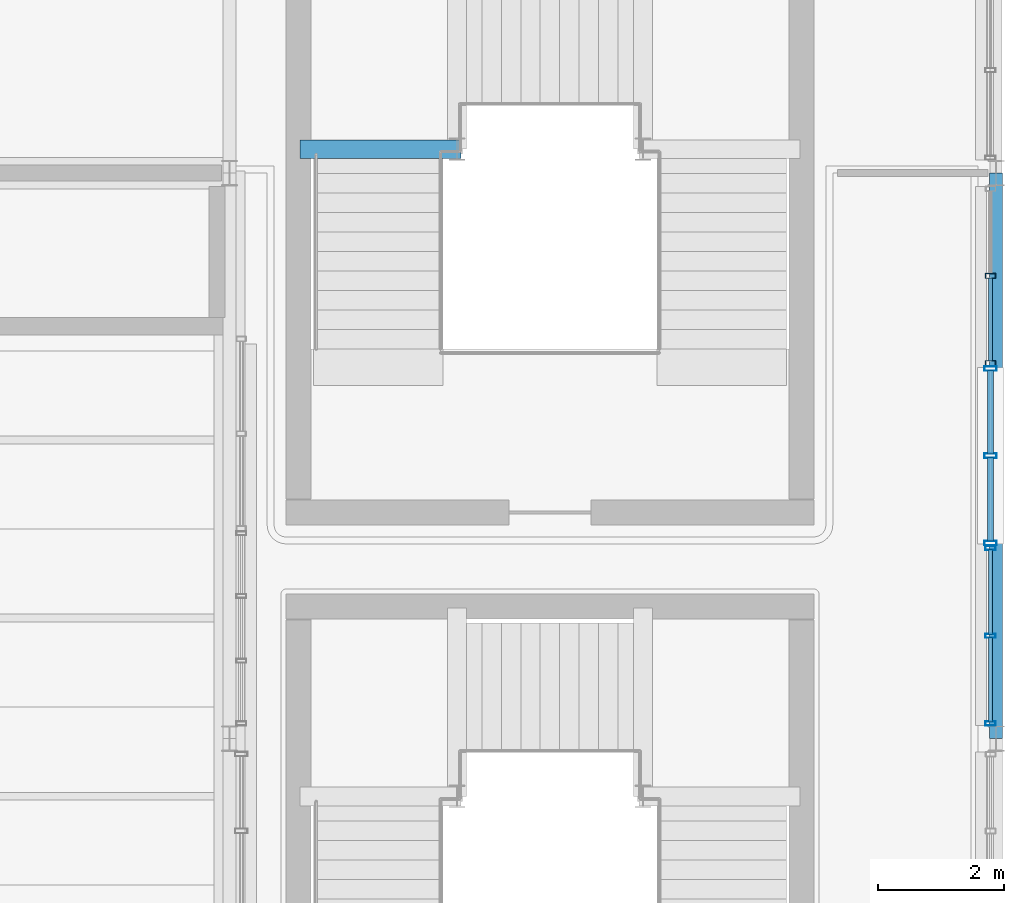
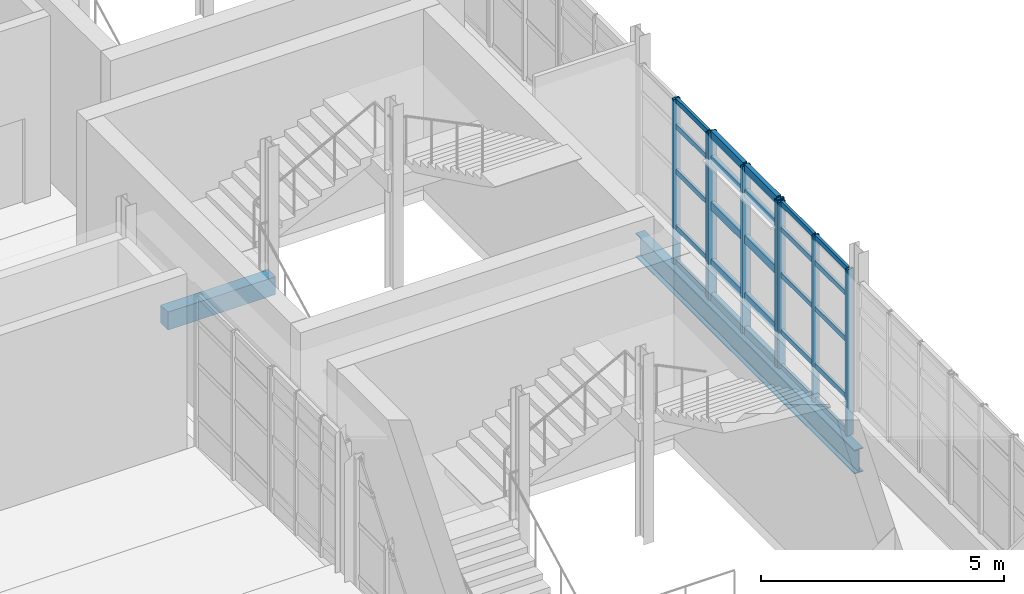
# One storey, part 54 of 100: 33 members, 2 beams, 3 elements without a shape of their own.
"""IFC4 building model written with IfcOpenShell, lengths in metres."""

import ifcopenshell
import ifcopenshell.guid

model = None  # the IFC model being written
_history = None  # IfcOwnerHistory: only IFC2X3 demands one
_inside = {}  # id of a spatial element -> (the spatial element, [elements in it])
_under = {}  # id of a project, library or spatial element -> (it, [spatial elements below it])
_declared = {}  # id of a project -> (the project, [libraries it declares])
_typed = {}  # id of a type object -> (the type object, [elements of that type])
_made_of = {}  # id of a material, layer set ... -> (it, [elements and type objects made of it])


def new_model(schema):
    """Start an empty IFC model of exactly this schema.

    Asked for "IFC4X3", IfcOpenShell would pick the latest addendum, in which some entities
    have other attributes; the version numbers below select the first issue.
    IFC2X3 requires an IfcOwnerHistory on every rooted entity: one is made here for all.
    """
    global model, _history
    if schema == "IFC4X3":
        model = ifcopenshell.file(schema_version=(4, 3, 0, 0))
    else:
        model = ifcopenshell.file(schema=schema)
    _inside.clear()
    _under.clear()
    _declared.clear()
    _typed.clear()
    _made_of.clear()
    _history = None
    if model.schema == "IFC2X3":
        org = make("IfcOrganization", Name="unknown")
        user = make(
            "IfcPersonAndOrganization",
            ThePerson=make("IfcPerson", FamilyName="unknown"),
            TheOrganization=org,
        )
        app = make(
            "IfcApplication",
            ApplicationDeveloper=org,
            Version="unknown",
            ApplicationFullName="unknown",
            ApplicationIdentifier="unknown",
        )
        _history = make(
            "IfcOwnerHistory",
            OwningUser=user,
            OwningApplication=app,
            ChangeAction="ADDED",
            CreationDate=0,
        )
    return model


def make(cls, **values):
    """One entity of the class cls with the attributes given. An attribute that is None is left unset."""
    return model.create_entity(
        cls, **{name: value for name, value in values.items() if value is not None}
    )


def rooted(cls, **values):
    """An entity with a GlobalId (a new one), such as an element, a storey or a relation."""
    return make(cls, GlobalId=ifcopenshell.guid.new(), OwnerHistory=_history, **values)


def si_unit(unit_type, name, prefix=None):
    """IfcSIUnit, for example si_unit("LENGTHUNIT", "METRE", prefix="MILLI")."""
    return make("IfcSIUnit", UnitType=unit_type, Prefix=prefix, Name=name)


def derived_unit(unit_type, elements):
    """IfcDerivedUnit: a product of units, each with its exponent."""
    return make(
        "IfcDerivedUnit",
        Elements=[
            make("IfcDerivedUnitElement", Unit=unit, Exponent=power)
            for unit, power in elements
        ],
        UnitType=unit_type,
    )


def assignment(units):
    """IfcUnitAssignment: the units of a project."""
    return None if units is None else make("IfcUnitAssignment", Units=units)


def point(xyz):
    """IfcCartesianPoint."""
    return None if xyz is None else make("IfcCartesianPoint", Coordinates=xyz)


def direction(xyz):
    """IfcDirection."""
    return None if xyz is None else make("IfcDirection", DirectionRatios=xyz)


def frame(location, z_axis=None, x_axis=None):
    """IfcAxis2Placement3D, a coordinate frame: its origin and axes. An axis left out is left unset."""
    return make(
        "IfcAxis2Placement3D",
        Location=point(location),
        Axis=direction(z_axis),
        RefDirection=direction(x_axis),
    )


def frame_2d(location, x_axis=None):
    """IfcAxis2Placement2D, a coordinate frame in the plane: its origin and x axis."""
    return make(
        "IfcAxis2Placement2D", Location=point(location), RefDirection=direction(x_axis)
    )


def origin():
    """The frame at (0, 0, 0) with its axes left unset."""
    return frame((0.0, 0.0, 0.0))


def origin_2d():
    """The frame at (0, 0) in the plane with its x axis left unset."""
    return frame_2d((0.0, 0.0))


def place(relative_to, where):
    """IfcLocalPlacement: puts the frame where relative to a parent placement (None: the world)."""
    return make(
        "IfcLocalPlacement", PlacementRelTo=relative_to, RelativePlacement=where
    )


def context(
    kind, dimensions, precision=None, world=None, true_north=None, identifier=None
):
    """IfcGeometricRepresentationContext, for example the 3D "Model" context."""
    return make(
        "IfcGeometricRepresentationContext",
        ContextIdentifier=identifier,
        ContextType=kind,
        CoordinateSpaceDimension=dimensions,
        Precision=precision,
        WorldCoordinateSystem=world,
        TrueNorth=true_north,
    )


def subcontext(parent, identifier, kind, view, scale=None):
    """IfcGeometricRepresentationSubContext, for example "Body" below "Model"."""
    return make(
        "IfcGeometricRepresentationSubContext",
        ContextIdentifier=identifier,
        ContextType=kind,
        ParentContext=parent,
        TargetScale=scale,
        TargetView=view,
    )


def project(units=None, contexts=None):
    """IfcProject with its units and contexts."""
    return rooted(
        "IfcProject",
        Name="project",
        RepresentationContexts=contexts,
        UnitsInContext=assignment(units),
    )


def spatial(cls, under=None, at=None, **own):
    """A site, building, storey or space (cls), placed at a placement, below another one or the project."""
    s = rooted(cls, ObjectPlacement=at, **own)
    if under is not None:
        _under.setdefault(under.id(), (under, []))[1].append(s)
    return s


def profile(cls, at=None, kind="AREA", **sizes):
    """A parametric profile (cls). Its sizes go by their IFC names, for example OverallWidth=200.0."""
    return make(cls, ProfileType=kind, Position=at, **sizes)


def rectangle(**sizes):
    """IfcRectangleProfileDef."""
    return profile("IfcRectangleProfileDef", **sizes)


def hollow_rectangle(**sizes):
    """IfcRectangleHollowProfileDef."""
    return profile("IfcRectangleHollowProfileDef", **sizes)


def i_section(**sizes):
    """IfcIShapeProfileDef."""
    return profile("IfcIShapeProfileDef", **sizes)


def extrude(swept, where, along, depth):
    """IfcExtrudedAreaSolid: the profile swept, set in the frame where, extruded along a direction by depth."""
    return make(
        "IfcExtrudedAreaSolid",
        SweptArea=swept,
        Position=where,
        ExtrudedDirection=direction(along),
        Depth=depth,
    )


def shape(context_of_items, identifier, shape_type, items):
    """IfcShapeRepresentation: the items that make up one representation, for example the "Body"."""
    return make(
        "IfcShapeRepresentation",
        ContextOfItems=context_of_items,
        RepresentationIdentifier=identifier,
        RepresentationType=shape_type,
        Items=items,
    )


def material(Name=None, Category=None):
    """IfcMaterial."""
    return make("IfcMaterial", Name=Name, Category=Category)


def layer(
    of_material, thickness, ventilated=None, Name=None, Category=None, Priority=None
):
    """IfcMaterialLayer: one layer of a wall or slab, of a material (None: an air gap)."""
    return make(
        "IfcMaterialLayer",
        Material=of_material,
        LayerThickness=thickness,
        IsVentilated=ventilated,
        Name=Name,
        Category=Category,
        Priority=Priority,
    )


def layer_set(layers, Name=None):
    """IfcMaterialLayerSet."""
    return make("IfcMaterialLayerSet", MaterialLayers=layers, LayerSetName=Name)


def material_profile(
    of_material, cross_section, Name=None, Category=None, Priority=None
):
    """IfcMaterialProfile: a cross section and its material."""
    return make(
        "IfcMaterialProfile",
        Name=Name,
        Material=of_material,
        Profile=cross_section,
        Priority=Priority,
        Category=Category,
    )


def profile_set(profiles, Name=None, composite=None):
    """IfcMaterialProfileSet."""
    return make(
        "IfcMaterialProfileSet",
        Name=Name,
        MaterialProfiles=profiles,
        CompositeProfile=composite,
    )


def made_of(thing, what):
    """Note that an element or type object is made of a material, layer set ...; save() writes the relation."""
    if what is not None:
        _made_of.setdefault(what.id(), (what, []))[1].append(thing)
    return thing


def type_object(cls, material=None, **own):
    """A type object (cls), such as IfcWallType, which elements share."""
    return made_of(rooted(cls, **own), material)


def element(
    cls,
    number,
    at=None,
    inside=None,
    cuts=None,
    type_object=None,
    material=None,
    context=None,
    identifier="Body",
    shape_type=None,
    held_by="IfcProductDefinitionShape",
    body=None,
    shapes=None,
    **own,
):
    """One element of the class cls, such as IfcWall. Its Tag is "e" and its number.

    at: its placement. inside: the storey or other place that contains it. cuts: it is an
    opening in that element (IfcRelVoidsElement). A single representation is given by context,
    identifier, shape_type and body (its items); several are given by shapes. held_by: the class
    of the entity that holds the representations. save() writes the other relations.
    """
    e = rooted(cls, Tag="e%d" % number, ObjectPlacement=at, **own)
    if body is not None:
        shapes = [shape(context, identifier, shape_type, body)]
    if shapes is not None:
        e.Representation = make(held_by, Representations=shapes)
    if inside is not None:
        _inside.setdefault(inside.id(), (inside, []))[1].append(e)
    if cuts is not None:
        rooted(
            "IfcRelVoidsElement", RelatingBuildingElement=cuts, RelatedOpeningElement=e
        )
    if type_object is not None:
        _typed.setdefault(type_object.id(), (type_object, []))[1].append(e)
    return made_of(e, material)


def aggregate(whole, parts):
    """IfcRelAggregates: a whole, such as a stair, and the parts it consists of."""
    return rooted("IfcRelAggregates", RelatingObject=whole, RelatedObjects=parts)


def save(model, path):
    """Write the relations noted so far, then the file.

    IfcRelAggregates (storeys below a building ...), IfcRelContainedInSpatialStructure (elements
    in a storey), IfcRelDefinesByType, IfcRelAssociatesMaterial and IfcRelDeclares: one each for
    every whole, place, type object, material and project.
    """
    for whole, parts in _under.values():
        aggregate(whole, parts)
    for where, things in _inside.values():
        rooted(
            "IfcRelContainedInSpatialStructure",
            RelatedElements=things,
            RelatingStructure=where,
        )
    for kind, things in _typed.values():
        rooted("IfcRelDefinesByType", RelatedObjects=things, RelatingType=kind)
    for what, things in _made_of.values():
        rooted("IfcRelAssociatesMaterial", RelatedObjects=things, RelatingMaterial=what)
    for by, libraries in _declared.values():
        rooted("IfcRelDeclares", RelatingContext=by, RelatedDefinitions=libraries)
    model.write(path)


model = new_model("IFC4")

# Units and contexts
model_context = context("Model", 3, precision=1e-05, world=origin(), true_north=direction((0.0, 1.0)))
body_context = subcontext(model_context, "Body", "Model", "MODEL_VIEW")
ifc_project = project(units=[si_unit("LENGTHUNIT", "METRE"), si_unit("AREAUNIT", "SQUARE_METRE"), si_unit("VOLUMEUNIT", "CUBIC_METRE"), si_unit("PLANEANGLEUNIT", "RADIAN"), si_unit("MASSUNIT", "GRAM", prefix="KILO"), derived_unit("THERMALTRANSMITTANCEUNIT", [(si_unit("POWERUNIT", "WATT"), 1), (si_unit("LENGTHUNIT", "METRE"), -2), (si_unit("THERMODYNAMICTEMPERATUREUNIT", "KELVIN"), -1)])], contexts=[model_context])

# Site, building, storey
site_placement = place(None, origin())
site = spatial("IfcSite", under=ifc_project, at=site_placement, CompositionType="ELEMENT")
building_placement = place(site_placement, origin())
building = spatial("IfcBuilding", under=site, at=building_placement, Name="Nallur Shell Playhouse", CompositionType="ELEMENT")
storey_placement = place(building_placement, frame((0.0, 0.0, 10.199951171875)))
storey = spatial("IfcBuildingStorey", under=building, at=storey_placement, Name="L03", CompositionType="ELEMENT", Elevation=10.199951171875)

# Beams
ifc_material_1 = material(Name="Concrete M35", Category="concrete")
ifc_material_profile_1 = material_profile(ifc_material_1, rectangle(XDim=0.300048828125, YDim=0.449951171875, at=origin_2d()), Name="RC 300x450")
ifc_profile_set_1 = profile_set([ifc_material_profile_1], Name="Concrete M35")
beam_type_1 = type_object("IfcBeamType", Name="BM-SPN-300x450", PredefinedType="SPANDREL", material=ifc_profile_set_1)
beam_1_placement = place(storey_placement, frame((148.719970703125, 41.3798828125, 1.22509765625), z_axis=(1.0, 0.0, 0.0), x_axis=(0.0, 1.0, 0.0)))
element("IfcBeam", 1, at=beam_1_placement, inside=storey, type_object=beam_type_1, Name="Stair ST-09-L03 L1 south bearer beam", PredefinedType="SPANDREL", context=body_context, shape_type="SweptSolid", body=[
    extrude(rectangle(XDim=0.300048828125, YDim=0.449951171875, at=origin_2d()), origin(), (0.0, 0.0, 1.0), 2.56005859375),
])
ifc_material_2 = material(Name="Steel E350", Category="steel")
ifc_material_profile_2 = material_profile(ifc_material_2, i_section(OverallWidth=0.2099609375, OverallDepth=0.60009765625, WebThickness=0.011962890625, FlangeThickness=0.020751953125, FilletRadius=0.02001953125, at=origin_2d()), Name="ISMB 600")
ifc_profile_set_2 = profile_set([ifc_material_profile_2], Name="Steel E350")
beam_type_2 = type_object("IfcBeamType", Name="BM-ST-ISMB600", PredefinedType="BEAM", material=ifc_profile_set_2)
beam_2_placement = place(storey_placement, frame((159.800048828125, 32.0, -0.56005859375), z_axis=(0.0, 1.0, 0.0), x_axis=(-1.0, 0.0, 0.0)))
element("IfcBeam", 2, at=beam_2_placement, inside=storey, type_object=beam_type_2, Name="L03 girder Y-19-680", PredefinedType="BEAM", context=body_context, shape_type="SweptSolid", body=[
    extrude(i_section(OverallWidth=0.2099609375, OverallDepth=0.60009765625, WebThickness=0.011962890625, FlangeThickness=0.020751953125, FilletRadius=0.02001953125, at=origin_2d()), origin(), (0.0, 0.0, 1.0), 9.0),
])

# Curtain wall, members
ifc_material_3 = material(Name="Anodised Aluminium Double-Glazed Facade System", Category="aluminium")
ifc_layer_1 = layer(ifc_material_3, 0.1640625)
ifc_layer_set_1 = layer_set([ifc_layer_1], Name="Anodised Aluminium Double-Glazed Facade System")
curtain_wall_type_1 = type_object("IfcCurtainWallType", Name="CW-UNIT-19", PredefinedType="NOTDEFINED", material=ifc_layer_set_1)
curtain_wall_1_placement = place(storey_placement, origin())
curtain_wall_1 = element("IfcCurtainWall", 3, at=curtain_wall_1_placement, inside=storey, type_object=curtain_wall_type_1, Name="Unitised curtain wall CW-083 (L03)", PredefinedType="NOTDEFINED")
ifc_material_4 = material(Name="Aluminium Alloy 6063-T6 Mullion", Category="aluminium")
ifc_material_profile_3 = material_profile(ifc_material_4, hollow_rectangle(XDim=0.080078125, YDim=0.159912109375, WallThickness=0.006103515625, at=origin_2d()), Name="RHS 160x80x6")
ifc_profile_set_3 = profile_set([ifc_material_profile_3], Name="Aluminium Alloy 6063-T6 Mullion")
member_type_1 = type_object("IfcMemberType", Name="MB-CW-MUL150", PredefinedType="MULLION", material=ifc_profile_set_3)
member_1_placement = place(storey_placement, frame((159.7099609375, 39.36376953125, -0.014892578125), z_axis=(0.0, 0.0, 1.0), x_axis=(0.0, -1.0, 0.0)))
member_1 = element("IfcMember", 4, at=member_1_placement, type_object=member_type_1, Name="CW-19 mullion 2", PredefinedType="MULLION", context=body_context, shape_type="SweptSolid", body=[
    extrude(hollow_rectangle(XDim=0.080078125, YDim=0.159912109375, WallThickness=0.006103515625, at=origin_2d()), origin(), (0.0, 0.0, 1.0), 4.134033203125),
])
member_2_placement = place(storey_placement, frame((159.7099609375, 37.9755859375, -0.014892578125), z_axis=(0.0, 0.0, 1.0), x_axis=(0.0, -1.0, 0.0)))
member_2 = element("IfcMember", 5, at=member_2_placement, type_object=member_type_1, Name="CW-19 mullion 3", PredefinedType="MULLION", context=body_context, shape_type="SweptSolid", body=[
    extrude(hollow_rectangle(XDim=0.080078125, YDim=0.159912109375, WallThickness=0.006103515625, at=origin_2d()), origin(), (0.0, 0.0, 1.0), 4.134033203125),
])

ifc_layer_2 = layer(ifc_material_3, 0.172119140625)
ifc_layer_set_2 = layer_set([ifc_layer_2], Name="Anodised Aluminium Double-Glazed Facade System")
curtain_wall_type_2 = type_object("IfcCurtainWallType", Name="CW-UNIT-21", PredefinedType="NOTDEFINED", material=ifc_layer_set_2)
curtain_wall_2_placement = place(storey_placement, origin())
curtain_wall_2 = element("IfcCurtainWall", 6, at=curtain_wall_2_placement, inside=storey, type_object=curtain_wall_type_2, Name="Unitised curtain wall CW-085 (L03)", PredefinedType="NOTDEFINED")
ifc_material_profile_4 = material_profile(ifc_material_4, hollow_rectangle(XDim=0.06494140625, YDim=0.159912109375, WallThickness=0.00390625, at=origin_2d()), Name="ALU 65x160x4")
ifc_profile_set_4 = profile_set([ifc_material_profile_4], Name="Aluminium Alloy 6063-T6 Mullion")
member_type_2 = type_object("IfcMemberType", Name="MB-CW-MUL160", PredefinedType="MULLION", material=ifc_profile_set_4)
member_3_placement = place(storey_placement, frame((159.7099609375, 35.03173828125, -0.014892578125), z_axis=(0.0, 0.0, 1.0), x_axis=(0.0, -1.0, 0.0)))
member_3 = element("IfcMember", 7, at=member_3_placement, type_object=member_type_2, Name="CW-21 mullion 1", PredefinedType="MULLION", context=body_context, shape_type="SweptSolid", body=[
    extrude(hollow_rectangle(XDim=0.06494140625, YDim=0.159912109375, WallThickness=0.00390625, at=origin_2d()), origin(), (0.0, 0.0, 1.0), 4.173828125),
])
member_4_placement = place(storey_placement, frame((159.7099609375, 33.63623046875, -0.014892578125), z_axis=(0.0, 0.0, 1.0), x_axis=(0.0, -1.0, 0.0)))
member_4 = element("IfcMember", 8, at=member_4_placement, type_object=member_type_2, Name="CW-21 mullion 2", PredefinedType="MULLION", context=body_context, shape_type="SweptSolid", body=[
    extrude(hollow_rectangle(XDim=0.06494140625, YDim=0.159912109375, WallThickness=0.00390625, at=origin_2d()), origin(), (0.0, 0.0, 1.0), 4.173828125),
])
member_5_placement = place(storey_placement, frame((159.7099609375, 32.240478515625, -0.014892578125), z_axis=(0.0, 0.0, 1.0), x_axis=(0.0, -1.0, 0.0)))
member_5 = element("IfcMember", 9, at=member_5_placement, type_object=member_type_2, Name="CW-21 mullion 3", PredefinedType="MULLION", context=body_context, shape_type="SweptSolid", body=[
    extrude(hollow_rectangle(XDim=0.06494140625, YDim=0.159912109375, WallThickness=0.00390625, at=origin_2d()), origin(), (0.0, 0.0, 1.0), 4.173828125),
])

ifc_layer_3 = layer(ifc_material_3, 0.16796875)
ifc_layer_set_3 = layer_set([ifc_layer_3], Name="Anodised Aluminium Double-Glazed Facade System")
curtain_wall_type_3 = type_object("IfcCurtainWallType", Name="CW-UNIT-20", PredefinedType="NOTDEFINED", material=ifc_layer_set_3)
curtain_wall_3_placement = place(storey_placement, origin())
curtain_wall_3 = element("IfcCurtainWall", 10, at=curtain_wall_3_placement, inside=storey, type_object=curtain_wall_type_3, Name="Unitised curtain wall CW-084 (L03)", PredefinedType="NOTDEFINED")
ifc_material_profile_5 = material_profile(ifc_material_4, hollow_rectangle(XDim=0.074951171875, YDim=0.199951171875, WallThickness=0.0048828125, at=origin_2d()), Name="ALU 75x200x5")
ifc_profile_set_5 = profile_set([ifc_material_profile_5], Name="Aluminium Alloy 6063-T6 Mullion")
member_type_3 = type_object("IfcMemberType", Name="MB-CW-MUL180", PredefinedType="MULLION", material=ifc_profile_set_5)
member_6_placement = place(storey_placement, frame((159.7099609375, 37.88818359375, -0.014892578125), z_axis=(0.0, 0.0, 1.0), x_axis=(0.0, -1.0, 0.0)))
member_6 = element("IfcMember", 11, at=member_6_placement, type_object=member_type_3, Name="CW-20 mullion 1", PredefinedType="MULLION", context=body_context, shape_type="SweptSolid", body=[
    extrude(hollow_rectangle(XDim=0.074951171875, YDim=0.199951171875, WallThickness=0.0048828125, at=origin_2d()), origin(), (0.0, 0.0, 1.0), 4.19384765625),
])
member_7_placement = place(storey_placement, frame((159.7099609375, 36.5, -0.014892578125), z_axis=(0.0, 0.0, 1.0), x_axis=(0.0, -1.0, 0.0)))
member_7 = element("IfcMember", 12, at=member_7_placement, type_object=member_type_3, Name="CW-20 mullion 2", PredefinedType="MULLION", context=body_context, shape_type="SweptSolid", body=[
    extrude(hollow_rectangle(XDim=0.074951171875, YDim=0.199951171875, WallThickness=0.0048828125, at=origin_2d()), origin(), (0.0, 0.0, 1.0), 4.19384765625),
])
member_8_placement = place(storey_placement, frame((159.7099609375, 35.11181640625, -0.014892578125), z_axis=(0.0, 0.0, 1.0), x_axis=(0.0, -1.0, 0.0)))
member_8 = element("IfcMember", 13, at=member_8_placement, type_object=member_type_3, Name="CW-20 mullion 3", PredefinedType="MULLION", context=body_context, shape_type="SweptSolid", body=[
    extrude(hollow_rectangle(XDim=0.074951171875, YDim=0.199951171875, WallThickness=0.0048828125, at=origin_2d()), origin(), (0.0, 0.0, 1.0), 4.19384765625),
])

# Member
ifc_material_5 = material(Name="Aluminium Alloy 6063-T6 Transom", Category="aluminium")
ifc_material_profile_6 = material_profile(ifc_material_5, hollow_rectangle(XDim=0.06494140625, YDim=0.1201171875, WallThickness=0.00390625, at=origin_2d()), Name="ALU 65x120x4")
ifc_profile_set_6 = profile_set([ifc_material_profile_6], Name="Aluminium Alloy 6063-T6 Transom")
member_type_4 = type_object("IfcMemberType", Name="MB-CW-TRN120", PredefinedType="USERDEFINED", material=ifc_profile_set_6)
member_9_placement = place(storey_placement, frame((159.7099609375, 39.331787109375, 0.032470703125), z_axis=(0.0, -1.0, 0.0), x_axis=(1.0, 0.0, 0.0)))
member_9 = element("IfcMember", 14, at=member_9_placement, type_object=member_type_4, Name="CW-19 transom 2.1", ObjectType="TRANSOM", PredefinedType="USERDEFINED", context=body_context, shape_type="SweptSolid", body=[
    extrude(hollow_rectangle(XDim=0.06494140625, YDim=0.1201171875, WallThickness=0.00390625, at=origin_2d()), origin(), (0.0, 0.0, 1.0), 1.323974609375),
])

member_10_placement = place(storey_placement, frame((159.7099609375, 39.331787109375, 0.900146484375), z_axis=(0.0, -1.0, 0.0), x_axis=(1.0, 0.0, 0.0)))
member_10 = element("IfcMember", 15, at=member_10_placement, type_object=member_type_4, Name="CW-19 transom 2.2", ObjectType="TRANSOM", PredefinedType="USERDEFINED", context=body_context, shape_type="SweptSolid", body=[
    extrude(hollow_rectangle(XDim=0.06494140625, YDim=0.1201171875, WallThickness=0.00390625, at=origin_2d()), origin(), (0.0, 0.0, 1.0), 1.323974609375),
])

member_11_placement = place(storey_placement, frame((159.7099609375, 39.331787109375, 2.303955078125), z_axis=(0.0, -1.0, 0.0), x_axis=(1.0, 0.0, 0.0)))
member_11 = element("IfcMember", 16, at=member_11_placement, type_object=member_type_4, Name="CW-19 transom 2.3", ObjectType="TRANSOM", PredefinedType="USERDEFINED", context=body_context, shape_type="SweptSolid", body=[
    extrude(hollow_rectangle(XDim=0.06494140625, YDim=0.1201171875, WallThickness=0.00390625, at=origin_2d()), origin(), (0.0, 0.0, 1.0), 1.323974609375),
])

member_12_placement = place(storey_placement, frame((159.7099609375, 39.331787109375, 3.43505859375), z_axis=(0.0, -1.0, 0.0), x_axis=(1.0, 0.0, 0.0)))
member_12 = element("IfcMember", 17, at=member_12_placement, type_object=member_type_4, Name="CW-19 transom 2.4", ObjectType="TRANSOM", PredefinedType="USERDEFINED", context=body_context, shape_type="SweptSolid", body=[
    extrude(hollow_rectangle(XDim=0.06494140625, YDim=0.1201171875, WallThickness=0.00390625, at=origin_2d()), origin(), (0.0, 0.0, 1.0), 1.323974609375),
])

member_13_placement = place(storey_placement, frame((159.7099609375, 39.331787109375, 4.08251953125), z_axis=(0.0, -1.0, 0.0), x_axis=(1.0, 0.0, 0.0)))
member_13 = element("IfcMember", 18, at=member_13_placement, type_object=member_type_4, Name="CW-19 transom 2.5", ObjectType="TRANSOM", PredefinedType="USERDEFINED", context=body_context, shape_type="SweptSolid", body=[
    extrude(hollow_rectangle(XDim=0.06494140625, YDim=0.1201171875, WallThickness=0.00390625, at=origin_2d()), origin(), (0.0, 0.0, 1.0), 1.323974609375),
])

aggregate(curtain_wall_1, [member_1, member_2, member_9, member_10, member_11, member_12, member_13])

member_14_placement = place(storey_placement, frame((159.7099609375, 35.00732421875, 0.032470703125), z_axis=(0.0, -1.0, 0.0), x_axis=(1.0, 0.0, 0.0)))
member_14 = element("IfcMember", 19, at=member_14_placement, type_object=member_type_4, Name="CW-21 transom 1.1", ObjectType="TRANSOM", PredefinedType="USERDEFINED", context=body_context, shape_type="SweptSolid", body=[
    extrude(hollow_rectangle(XDim=0.06494140625, YDim=0.1201171875, WallThickness=0.00390625, at=origin_2d()), origin(), (0.0, 0.0, 1.0), 1.3466796875),
])

member_15_placement = place(storey_placement, frame((159.7099609375, 35.00732421875, 0.900146484375), z_axis=(0.0, -1.0, 0.0), x_axis=(1.0, 0.0, 0.0)))
member_15 = element("IfcMember", 20, at=member_15_placement, type_object=member_type_4, Name="CW-21 transom 1.2", ObjectType="TRANSOM", PredefinedType="USERDEFINED", context=body_context, shape_type="SweptSolid", body=[
    extrude(hollow_rectangle(XDim=0.06494140625, YDim=0.1201171875, WallThickness=0.00390625, at=origin_2d()), origin(), (0.0, 0.0, 1.0), 1.3466796875),
])

member_16_placement = place(storey_placement, frame((159.7099609375, 35.00732421875, 2.3271484375), z_axis=(0.0, -1.0, 0.0), x_axis=(1.0, 0.0, 0.0)))
member_16 = element("IfcMember", 21, at=member_16_placement, type_object=member_type_4, Name="CW-21 transom 1.3", ObjectType="TRANSOM", PredefinedType="USERDEFINED", context=body_context, shape_type="SweptSolid", body=[
    extrude(hollow_rectangle(XDim=0.06494140625, YDim=0.1201171875, WallThickness=0.00390625, at=origin_2d()), origin(), (0.0, 0.0, 1.0), 1.3466796875),
])

member_17_placement = place(storey_placement, frame((159.7099609375, 35.00732421875, 3.47509765625), z_axis=(0.0, -1.0, 0.0), x_axis=(1.0, 0.0, 0.0)))
member_17 = element("IfcMember", 22, at=member_17_placement, type_object=member_type_4, Name="CW-21 transom 1.4", ObjectType="TRANSOM", PredefinedType="USERDEFINED", context=body_context, shape_type="SweptSolid", body=[
    extrude(hollow_rectangle(XDim=0.06494140625, YDim=0.1201171875, WallThickness=0.00390625, at=origin_2d()), origin(), (0.0, 0.0, 1.0), 1.3466796875),
])

member_18_placement = place(storey_placement, frame((159.7099609375, 35.00732421875, 4.12255859375), z_axis=(0.0, -1.0, 0.0), x_axis=(1.0, 0.0, 0.0)))
member_18 = element("IfcMember", 23, at=member_18_placement, type_object=member_type_4, Name="CW-21 transom 1.5", ObjectType="TRANSOM", PredefinedType="USERDEFINED", context=body_context, shape_type="SweptSolid", body=[
    extrude(hollow_rectangle(XDim=0.06494140625, YDim=0.1201171875, WallThickness=0.00390625, at=origin_2d()), origin(), (0.0, 0.0, 1.0), 1.3466796875),
])

member_19_placement = place(storey_placement, frame((159.7099609375, 33.611572265625, 0.032470703125), z_axis=(0.0, -1.0, 0.0), x_axis=(1.0, 0.0, 0.0)))
member_19 = element("IfcMember", 24, at=member_19_placement, type_object=member_type_4, Name="CW-21 transom 2.1", ObjectType="TRANSOM", PredefinedType="USERDEFINED", context=body_context, shape_type="SweptSolid", body=[
    extrude(hollow_rectangle(XDim=0.06494140625, YDim=0.1201171875, WallThickness=0.00390625, at=origin_2d()), origin(), (0.0, 0.0, 1.0), 1.3466796875),
])

member_20_placement = place(storey_placement, frame((159.7099609375, 33.611572265625, 0.900146484375), z_axis=(0.0, -1.0, 0.0), x_axis=(1.0, 0.0, 0.0)))
member_20 = element("IfcMember", 25, at=member_20_placement, type_object=member_type_4, Name="CW-21 transom 2.2", ObjectType="TRANSOM", PredefinedType="USERDEFINED", context=body_context, shape_type="SweptSolid", body=[
    extrude(hollow_rectangle(XDim=0.06494140625, YDim=0.1201171875, WallThickness=0.00390625, at=origin_2d()), origin(), (0.0, 0.0, 1.0), 1.3466796875),
])

member_21_placement = place(storey_placement, frame((159.7099609375, 33.611572265625, 2.3271484375), z_axis=(0.0, -1.0, 0.0), x_axis=(1.0, 0.0, 0.0)))
member_21 = element("IfcMember", 26, at=member_21_placement, type_object=member_type_4, Name="CW-21 transom 2.3", ObjectType="TRANSOM", PredefinedType="USERDEFINED", context=body_context, shape_type="SweptSolid", body=[
    extrude(hollow_rectangle(XDim=0.06494140625, YDim=0.1201171875, WallThickness=0.00390625, at=origin_2d()), origin(), (0.0, 0.0, 1.0), 1.3466796875),
])

member_22_placement = place(storey_placement, frame((159.7099609375, 33.611572265625, 3.47509765625), z_axis=(0.0, -1.0, 0.0), x_axis=(1.0, 0.0, 0.0)))
member_22 = element("IfcMember", 27, at=member_22_placement, type_object=member_type_4, Name="CW-21 transom 2.4", ObjectType="TRANSOM", PredefinedType="USERDEFINED", context=body_context, shape_type="SweptSolid", body=[
    extrude(hollow_rectangle(XDim=0.06494140625, YDim=0.1201171875, WallThickness=0.00390625, at=origin_2d()), origin(), (0.0, 0.0, 1.0), 1.3466796875),
])

member_23_placement = place(storey_placement, frame((159.7099609375, 33.611572265625, 4.12255859375), z_axis=(0.0, -1.0, 0.0), x_axis=(1.0, 0.0, 0.0)))
member_23 = element("IfcMember", 28, at=member_23_placement, type_object=member_type_4, Name="CW-21 transom 2.5", ObjectType="TRANSOM", PredefinedType="USERDEFINED", context=body_context, shape_type="SweptSolid", body=[
    extrude(hollow_rectangle(XDim=0.06494140625, YDim=0.1201171875, WallThickness=0.00390625, at=origin_2d()), origin(), (0.0, 0.0, 1.0), 1.3466796875),
])

aggregate(curtain_wall_2, [member_3, member_4, member_5, member_14, member_15, member_16, member_17, member_18, member_19, member_20, member_21, member_22, member_23])

ifc_material_profile_7 = material_profile(ifc_material_5, hollow_rectangle(XDim=0.10009765625, YDim=0.199951171875, WallThickness=0.008056640625, at=origin_2d()), Name="RHS 200x100x8")
ifc_profile_set_7 = profile_set([ifc_material_profile_7], Name="Aluminium Alloy 6063-T6 Transom")
member_type_5 = type_object("IfcMemberType", Name="MB-CW-TRN140", PredefinedType="USERDEFINED", material=ifc_profile_set_7)
member_24_placement = place(storey_placement, frame((159.7099609375, 37.858642578125, 0.050048828125), z_axis=(0.0, -1.0, 0.0), x_axis=(1.0, 0.0, 0.0)))
member_24 = element("IfcMember", 29, at=member_24_placement, type_object=member_type_5, Name="CW-20 transom 1.1", ObjectType="TRANSOM", PredefinedType="USERDEFINED", context=body_context, shape_type="SweptSolid", body=[
    extrude(hollow_rectangle(XDim=0.10009765625, YDim=0.199951171875, WallThickness=0.008056640625, at=origin_2d()), origin(), (0.0, 0.0, 1.0), 1.3291015625),
])

member_25_placement = place(storey_placement, frame((159.7099609375, 37.858642578125, 0.900146484375), z_axis=(0.0, -1.0, 0.0), x_axis=(1.0, 0.0, 0.0)))
member_25 = element("IfcMember", 30, at=member_25_placement, type_object=member_type_5, Name="CW-20 transom 1.2", ObjectType="TRANSOM", PredefinedType="USERDEFINED", context=body_context, shape_type="SweptSolid", body=[
    extrude(hollow_rectangle(XDim=0.10009765625, YDim=0.199951171875, WallThickness=0.008056640625, at=origin_2d()), origin(), (0.0, 0.0, 1.0), 1.3291015625),
])

member_26_placement = place(storey_placement, frame((159.7099609375, 37.858642578125, 2.338134765625), z_axis=(0.0, -1.0, 0.0), x_axis=(1.0, 0.0, 0.0)))
member_26 = element("IfcMember", 31, at=member_26_placement, type_object=member_type_5, Name="CW-20 transom 1.3", ObjectType="TRANSOM", PredefinedType="USERDEFINED", context=body_context, shape_type="SweptSolid", body=[
    extrude(hollow_rectangle(XDim=0.10009765625, YDim=0.199951171875, WallThickness=0.008056640625, at=origin_2d()), origin(), (0.0, 0.0, 1.0), 1.3291015625),
])

member_27_placement = place(storey_placement, frame((159.7099609375, 37.858642578125, 3.4951171875), z_axis=(0.0, -1.0, 0.0), x_axis=(1.0, 0.0, 0.0)))
member_27 = element("IfcMember", 32, at=member_27_placement, type_object=member_type_5, Name="CW-20 transom 1.4", ObjectType="TRANSOM", PredefinedType="USERDEFINED", context=body_context, shape_type="SweptSolid", body=[
    extrude(hollow_rectangle(XDim=0.10009765625, YDim=0.199951171875, WallThickness=0.008056640625, at=origin_2d()), origin(), (0.0, 0.0, 1.0), 1.3291015625),
])

member_28_placement = place(storey_placement, frame((159.7099609375, 37.858642578125, 4.125), z_axis=(0.0, -1.0, 0.0), x_axis=(1.0, 0.0, 0.0)))
member_28 = element("IfcMember", 33, at=member_28_placement, type_object=member_type_5, Name="CW-20 transom 1.5", ObjectType="TRANSOM", PredefinedType="USERDEFINED", context=body_context, shape_type="SweptSolid", body=[
    extrude(hollow_rectangle(XDim=0.10009765625, YDim=0.199951171875, WallThickness=0.008056640625, at=origin_2d()), origin(), (0.0, 0.0, 1.0), 1.3291015625),
])

member_29_placement = place(storey_placement, frame((159.7099609375, 36.470458984375, 0.050048828125), z_axis=(0.0, -1.0, 0.0), x_axis=(1.0, 0.0, 0.0)))
member_29 = element("IfcMember", 34, at=member_29_placement, type_object=member_type_5, Name="CW-20 transom 2.1", ObjectType="TRANSOM", PredefinedType="USERDEFINED", context=body_context, shape_type="SweptSolid", body=[
    extrude(hollow_rectangle(XDim=0.10009765625, YDim=0.199951171875, WallThickness=0.008056640625, at=origin_2d()), origin(), (0.0, 0.0, 1.0), 1.3291015625),
])

member_30_placement = place(storey_placement, frame((159.7099609375, 36.470458984375, 0.900146484375), z_axis=(0.0, -1.0, 0.0), x_axis=(1.0, 0.0, 0.0)))
member_30 = element("IfcMember", 35, at=member_30_placement, type_object=member_type_5, Name="CW-20 transom 2.2", ObjectType="TRANSOM", PredefinedType="USERDEFINED", context=body_context, shape_type="SweptSolid", body=[
    extrude(hollow_rectangle(XDim=0.10009765625, YDim=0.199951171875, WallThickness=0.008056640625, at=origin_2d()), origin(), (0.0, 0.0, 1.0), 1.3291015625),
])

member_31_placement = place(storey_placement, frame((159.7099609375, 36.470458984375, 2.338134765625), z_axis=(0.0, -1.0, 0.0), x_axis=(1.0, 0.0, 0.0)))
member_31 = element("IfcMember", 36, at=member_31_placement, type_object=member_type_5, Name="CW-20 transom 2.3", ObjectType="TRANSOM", PredefinedType="USERDEFINED", context=body_context, shape_type="SweptSolid", body=[
    extrude(hollow_rectangle(XDim=0.10009765625, YDim=0.199951171875, WallThickness=0.008056640625, at=origin_2d()), origin(), (0.0, 0.0, 1.0), 1.3291015625),
])

member_32_placement = place(storey_placement, frame((159.7099609375, 36.470458984375, 3.4951171875), z_axis=(0.0, -1.0, 0.0), x_axis=(1.0, 0.0, 0.0)))
member_32 = element("IfcMember", 37, at=member_32_placement, type_object=member_type_5, Name="CW-20 transom 2.4", ObjectType="TRANSOM", PredefinedType="USERDEFINED", context=body_context, shape_type="SweptSolid", body=[
    extrude(hollow_rectangle(XDim=0.10009765625, YDim=0.199951171875, WallThickness=0.008056640625, at=origin_2d()), origin(), (0.0, 0.0, 1.0), 1.3291015625),
])

member_33_placement = place(storey_placement, frame((159.7099609375, 36.470458984375, 4.125), z_axis=(0.0, -1.0, 0.0), x_axis=(1.0, 0.0, 0.0)))
member_33 = element("IfcMember", 38, at=member_33_placement, type_object=member_type_5, Name="CW-20 transom 2.5", ObjectType="TRANSOM", PredefinedType="USERDEFINED", context=body_context, shape_type="SweptSolid", body=[
    extrude(hollow_rectangle(XDim=0.10009765625, YDim=0.199951171875, WallThickness=0.008056640625, at=origin_2d()), origin(), (0.0, 0.0, 1.0), 1.3291015625),
])

aggregate(curtain_wall_3, [member_6, member_7, member_8, member_24, member_25, member_26, member_27, member_28, member_29, member_30, member_31, member_32, member_33])

save(model, "model.ifc")
